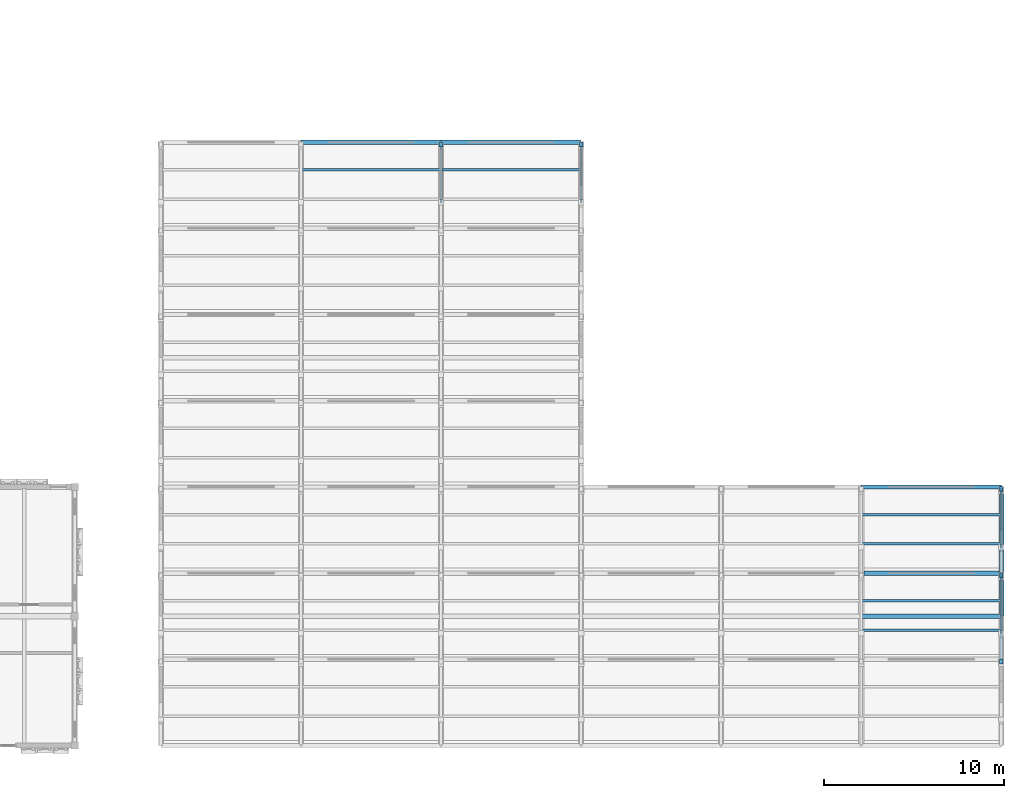
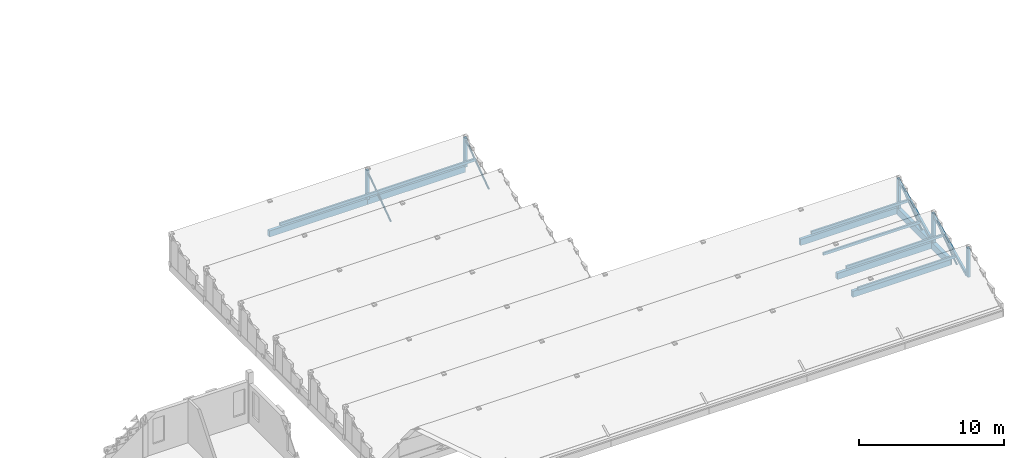
# One storey, part 30 of 81: 17 members, 6 beams.
"""IFC4 building model written with IfcOpenShell, lengths in metres."""

from ifc_helpers import new_model, si_unit, direction, frame, origin, origin_2d, place, context, subcontext, project, spatial, rectangle, hollow_circle, extrude, material, material_profile, profile_set, type_object, element, save


model = new_model("IFC4")

# Units and contexts
model_context = context("Model", 3, precision=1e-05, world=origin(), true_north=direction((0.0, 1.0)))
body_context = subcontext(model_context, "Body", "Model", "MODEL_VIEW")
ifc_project = project(units=[si_unit("LENGTHUNIT", "METRE"), si_unit("AREAUNIT", "SQUARE_METRE"), si_unit("VOLUMEUNIT", "CUBIC_METRE"), si_unit("PLANEANGLEUNIT", "RADIAN"), si_unit("MASSUNIT", "GRAM", prefix="KILO")], contexts=[model_context])

# Site, building, storey
site_placement = place(None, origin())
site = spatial("IfcSite", under=ifc_project, at=site_placement, CompositionType="ELEMENT")
building_placement = place(site_placement, origin())
building = spatial("IfcBuilding", under=site, at=building_placement, Name="Kahlenmark Community Centre", CompositionType="ELEMENT")
storey_placement = place(building_placement, frame((0.0, 0.0, 9.60009765625)))
storey = spatial("IfcBuildingStorey", under=building, at=storey_placement, Name="L02", CompositionType="ELEMENT", Elevation=9.60009765625)

# Beams
ifc_material_1 = material(Name="Glulam GL32h", Category="wood")
ifc_material_profile_1 = material_profile(ifc_material_1, rectangle(XDim=0.239990234375, YDim=0.52001953125, at=origin_2d()), Name="GL32h 240x520")
ifc_profile_set_1 = profile_set([ifc_material_profile_1], Name="Glulam GL32h")
beam_type_1 = type_object("IfcBeamType", Name="BT-BEAM-GL32h240x520", PredefinedType="BEAM", material=ifc_profile_set_1)
beam_1_placement = place(storey_placement, frame((160.60009765625, 16.0, -0.260009765625), z_axis=(1.0, 0.0, 0.0), x_axis=(0.0, 1.0, 0.0)))
element("IfcBeam", 1, at=beam_1_placement, inside=storey, type_object=beam_type_1, Name="L02 beam BG-SAW520", PredefinedType="BEAM", context=body_context, shape_type="SweptSolid", body=[
    extrude(rectangle(XDim=0.239990234375, YDim=0.52001953125, at=origin_2d()), origin(), (0.0, 0.0, 1.0), 7.7998046875),
])
beam_2_placement = place(storey_placement, frame((160.741943359375, 18.39990234375, -0.260009765625), z_axis=(1.0, 0.0, 0.0), x_axis=(0.0, 1.0, 0.0)))
element("IfcBeam", 2, at=beam_2_placement, inside=storey, type_object=beam_type_1, Name="L02 beam BG-SAW520", PredefinedType="BEAM", context=body_context, shape_type="SweptSolid", body=[
    extrude(rectangle(XDim=0.239990234375, YDim=0.52001953125, at=origin_2d()), origin(), (0.0, 0.0, 1.0), 7.51611328125),
])
ifc_material_profile_2 = material_profile(ifc_material_1, rectangle(XDim=0.280029296875, YDim=0.60009765625, at=origin_2d()), Name="GL32h 280x600")
ifc_profile_set_2 = profile_set([ifc_material_profile_2], Name="Glulam GL32h")
beam_type_2 = type_object("IfcBeamType", Name="BT-BEAM-GL32h280x600", PredefinedType="BEAM", material=ifc_profile_set_2)
beam_3_placement = place(storey_placement, frame((168.39990234375, 16.0, -0.300048828125), z_axis=(0.0, 1.0, 0.0), x_axis=(-1.0, 0.0, 0.0)))
element("IfcBeam", 3, at=beam_3_placement, inside=storey, type_object=beam_type_2, Name="L02 beam BG-SAW600", PredefinedType="BEAM", context=body_context, shape_type="SweptSolid", body=[
    extrude(rectangle(XDim=0.280029296875, YDim=0.60009765625, at=origin_2d()), origin(), (0.0, 0.0, 1.0), 7.199951171875),
])
ifc_material_profile_3 = material_profile(ifc_material_1, rectangle(XDim=0.239990234375, YDim=0.52001953125, at=origin_2d()), Name="GL32h 240x520")
ifc_profile_set_3 = profile_set([ifc_material_profile_3], Name="Glulam GL32h")
beam_type_3 = type_object("IfcBeamType", Name="BT-SPANDREL-GL32h240x520", PredefinedType="SPANDREL", material=ifc_profile_set_3)
beam_4_placement = place(storey_placement, frame((160.60009765625, 23.199951171875, -0.260009765625), z_axis=(1.0, 0.0, 0.0), x_axis=(0.0, 1.0, 0.0)))
element("IfcBeam", 4, at=beam_4_placement, inside=storey, type_object=beam_type_3, Name="L02 spandrel SP-SAW520", PredefinedType="SPANDREL", context=body_context, shape_type="SweptSolid", body=[
    extrude(rectangle(XDim=0.239990234375, YDim=0.52001953125, at=origin_2d()), origin(), (0.0, 0.0, 1.0), 7.7998046875),
])
for number, where, z_axis, x_axis, name in (
    (5, (129.39990234375, 42.39990234375, -0.260009765625), (1.0, 0.0, 0.0), (0.0, 1.0, 0.0), "L02 spandrel SP-SAW520"),
    (6, (137.199951171875, 42.39990234375, -0.260009765625), (1.0, 0.0, 0.0), (0.0, 1.0, 0.0), "L02 spandrel SP-SAW520"),
):
    element("IfcBeam", number, at=place(storey_placement, frame(where, z_axis=z_axis, x_axis=x_axis)), inside=storey, type_object=beam_type_3, Name=name, PredefinedType="SPANDREL", context=body_context, shape_type="SweptSolid", body=[
        extrude(rectangle(XDim=0.239990234375, YDim=0.52001953125, at=origin_2d()), origin(), (0.0, 0.0, 1.0), 7.800048828125),
    ])

# Members
ifc_material_2 = material(Name="Steel S355", Category="steel")
ifc_material_profile_4 = material_profile(ifc_material_2, hollow_circle(Radius=0.06982421875, WallThickness=0.00634765625, at=origin_2d()), Name="CHS 139.7x6.3")
ifc_profile_set_4 = profile_set([ifc_material_profile_4], Name="Steel S355")
member_type_1 = type_object("IfcMemberType", Name="MT-BRACE-CHS139.7x6.3", PredefinedType="BRACE", material=ifc_profile_set_4)
for number, where, z_axis, x_axis, name in (
    (7, (168.39990234375, 18.159912109375, 2.219970703125), (0.0, -0.816379526882, -0.577515773021), (1.0, 0.0, 0.0), "L02 brace SAW-DIAG"),
    (8, (168.39990234375, 22.9599609375, 2.219970703125), (0.0, -0.816379526882, -0.577515773021), (1.0, 0.0, 0.0), "L02 brace SAW-DIAG"),
    (9, (137.199951171875, 42.159912109375, 2.219970703125), (0.0, -0.816379526882, -0.577515773021), (1.0, 0.0, 0.0), "L02 brace SAW-DIAG"),
    (10, (145.0, 42.159912109375, 2.219970703125), (0.0, -0.816379526882, -0.577515773021), (1.0, 0.0, 0.0), "L02 brace SAW-DIAG"),
):
    element("IfcMember", number, at=place(storey_placement, frame(where, z_axis=z_axis, x_axis=x_axis)), inside=storey, type_object=member_type_1, Name=name, PredefinedType="BRACE", context=body_context, shape_type="SweptSolid", body=[
        extrude(hollow_circle(Radius=0.06982421875, WallThickness=0.00634765625, at=origin_2d()), origin(), (0.0, 0.0, 1.0), 3.809326171875),
    ])
ifc_material_3 = material(Name="Glulam GL28h", Category="wood")
ifc_material_profile_5 = material_profile(ifc_material_3, rectangle(XDim=0.139892578125, YDim=0.219970703125, at=origin_2d()), Name="GL28h 140x220")
ifc_profile_set_5 = profile_set([ifc_material_profile_5], Name="Glulam GL28h")
member_type_2 = type_object("IfcMemberType", Name="MT-PURLIN-GL28h140x220", PredefinedType="PURLIN", material=ifc_profile_set_5)
for number, where, z_axis, x_axis, name in (
    (11, (160.60009765625, 15.23193359375, 0.642333984375), (1.0, 0.0, 0.0), (0.0, 1.0, 0.0), "L02 purlin PR-SAW220"),
    (12, (160.60009765625, 16.864013671875, 1.444091796875), (1.0, 0.0, 0.0), (0.0, 1.0, 0.0), "L02 purlin PR-SAW220"),
    (13, (160.60009765625, 20.031982421875, 0.642333984375), (1.0, 0.0, 0.0), (0.0, 1.0, 0.0), "L02 purlin PR-SAW220"),
    (14, (160.60009765625, 21.6640625, 1.444091796875), (1.0, 0.0, 0.0), (0.0, 1.0, 0.0), "L02 purlin PR-SAW220"),
):
    element("IfcMember", number, at=place(storey_placement, frame(where, z_axis=z_axis, x_axis=x_axis)), inside=storey, type_object=member_type_2, Name=name, PredefinedType="PURLIN", context=body_context, shape_type="SweptSolid", body=[
        extrude(rectangle(XDim=0.139892578125, YDim=0.219970703125, at=origin_2d()), origin(), (0.0, 0.0, 1.0), 7.7998046875),
    ])
for number, where, z_axis, x_axis, name in (
    (15, (129.39990234375, 40.864013671875, 1.444091796875), (1.0, 0.0, 0.0), (0.0, 1.0, 0.0), "L02 purlin PR-SAW220"),
    (16, (137.199951171875, 40.864013671875, 1.444091796875), (1.0, 0.0, 0.0), (0.0, 1.0, 0.0), "L02 purlin PR-SAW220"),
):
    element("IfcMember", number, at=place(storey_placement, frame(where, z_axis=z_axis, x_axis=x_axis)), inside=storey, type_object=member_type_2, Name=name, PredefinedType="PURLIN", context=body_context, shape_type="SweptSolid", body=[
        extrude(rectangle(XDim=0.139892578125, YDim=0.219970703125, at=origin_2d()), origin(), (0.0, 0.0, 1.0), 7.800048828125),
    ])
ifc_material_profile_6 = material_profile(ifc_material_3, rectangle(XDim=0.159912109375, YDim=0.239990234375, at=origin_2d()), Name="GL28h 160x240")
ifc_profile_set_6 = profile_set([ifc_material_profile_6], Name="Glulam GL28h")
member_type_3 = type_object("IfcMemberType", Name="MT-RAFTER-GL28h160x240", PredefinedType="RAFTER", material=ifc_profile_set_6)
for number, where, z_axis, x_axis, name in (
    (17, (168.39990234375, 13.679931640625, 0.02001953125), (0.0, 0.897549034846, 0.440914651658), (-1.0, 0.0, 0.0), "L02 rafter SAW-RAF"),
    (18, (168.39990234375, 18.47998046875, 0.02001953125), (0.0, 0.897549034846, 0.440914651658), (-1.0, 0.0, 0.0), "L02 rafter SAW-RAF"),
):
    element("IfcMember", number, at=place(storey_placement, frame(where, z_axis=z_axis, x_axis=x_axis)), inside=storey, type_object=member_type_3, Name=name, PredefinedType="RAFTER", context=body_context, shape_type="SweptSolid", body=[
        extrude(rectangle(XDim=0.159912109375, YDim=0.239990234375, at=origin_2d()), origin(), (0.0, 0.0, 1.0), 5.125244140625),
    ])
ifc_material_profile_7 = material_profile(ifc_material_3, rectangle(XDim=0.199951171875, YDim=0.280029296875, at=origin_2d()), Name="GL28h 200x280")
ifc_profile_set_7 = profile_set([ifc_material_profile_7], Name="Glulam GL28h")
member_type_4 = type_object("IfcMemberType", Name="MT-STRUT-GL28h200x280", PredefinedType="STRUT", material=ifc_profile_set_7)
for number, where, z_axis, x_axis, name in (
    (19, (168.39990234375, 13.47998046875, 0.0), (0.0, 0.0, 1.0), (1.0, 0.0, 0.0), "L02 strut SAW-POST"),
    (20, (168.39990234375, 18.280029296875, 0.0), (0.0, 0.0, 1.0), (1.0, 0.0, 0.0), "L02 strut SAW-POST"),
    (21, (168.39990234375, 23.080078125, 0.0), (0.0, 0.0, 1.0), (1.0, 0.0, 0.0), "L02 strut SAW-POST"),
    (22, (137.199951171875, 42.280029296875, 0.0), (0.0, 0.0, 1.0), (1.0, 0.0, 0.0), "L02 strut SAW-POST"),
    (23, (145.0, 42.280029296875, 0.0), (0.0, 0.0, 1.0), (1.0, 0.0, 0.0), "L02 strut SAW-POST"),
):
    element("IfcMember", number, at=place(storey_placement, frame(where, z_axis=z_axis, x_axis=x_axis)), inside=storey, type_object=member_type_4, Name=name, PredefinedType="STRUT", context=body_context, shape_type="SweptSolid", body=[
        extrude(rectangle(XDim=0.199951171875, YDim=0.280029296875, at=origin_2d()), origin(), (0.0, 0.0, 1.0), 2.419921875),
    ])

save(model, "model.ifc")
